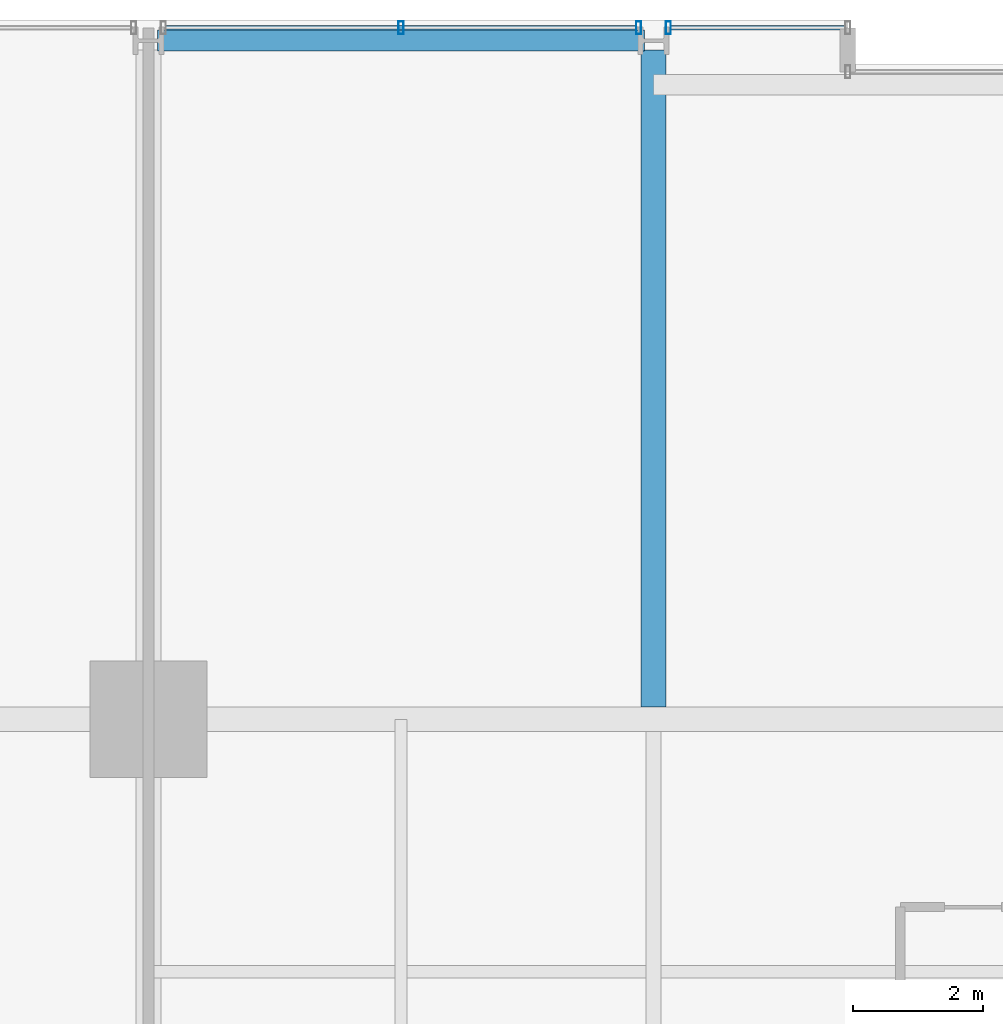
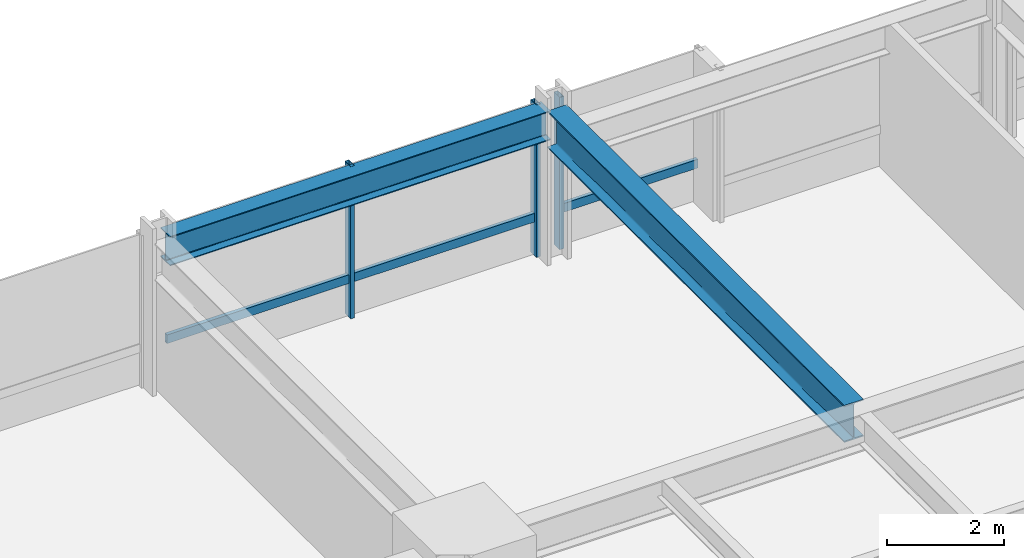
# One storey, part 22 of 37: 5 members, 2 beams, 2 elements without a shape of their own.
"""IFC4 building model written with IfcOpenShell, lengths in metres."""

from ifc_helpers import new_model, si_unit, direction, frame, origin, origin_2d, place, context, subcontext, project, spatial, hollow_rectangle, i_section, extrude, material, layer, layer_set, material_profile, profile_set, type_object, element, aggregate, save


model = new_model("IFC4")

# Units and contexts
model_context = context("Model", 3, precision=1e-05, world=origin(), true_north=direction((0.0, 1.0)))
body_context = subcontext(model_context, "Body", "Model", "MODEL_VIEW")
ifc_project = project(units=[si_unit("LENGTHUNIT", "METRE"), si_unit("AREAUNIT", "SQUARE_METRE"), si_unit("VOLUMEUNIT", "CUBIC_METRE"), si_unit("PLANEANGLEUNIT", "RADIAN"), si_unit("MASSUNIT", "GRAM", prefix="KILO")], contexts=[model_context])

# Site, building, storey
site_placement = place(None, origin())
site = spatial("IfcSite", under=ifc_project, at=site_placement, CompositionType="ELEMENT")
building_placement = place(site_placement, origin())
building = spatial("IfcBuilding", under=site, at=building_placement, Name="Drelvath Grand Hotel", CompositionType="ELEMENT")
storey_placement = place(building_placement, frame((0.0, 0.0, 78.699951171875)))
storey = spatial("IfcBuildingStorey", under=building, at=storey_placement, Name="L19", CompositionType="ELEMENT", Elevation=78.699951171875)

# Curtain wall, member
ifc_material_1 = material(Name="Warm Bronze Anodised Aluminium Frame", Category="aluminium")
ifc_layer = layer(ifc_material_1, 0.199951171875)
ifc_layer_set = layer_set([ifc_layer], Name="Warm Bronze Anodised Aluminium Frame")
curtain_wall_type = type_object("IfcCurtainWallType", Name="Stick Curtain Wall CW-02 Warm Bronze Low-Rise", PredefinedType="NOTDEFINED", material=ifc_layer_set)
curtain_wall_1_placement = place(storey_placement, origin())
curtain_wall_1 = element("IfcCurtainWall", 1, at=curtain_wall_1_placement, inside=storey, type_object=curtain_wall_type, Name="L19 CW-02 Curtain Wall CW02-L19-NW2", PredefinedType="NOTDEFINED")
ifc_material_profile_1 = material_profile(ifc_material_1, hollow_rectangle(XDim=0.074951171875, YDim=0.179931640625, WallThickness=0.0048828125, at=origin_2d()), Name="HSS180X75X5")
ifc_profile_set_1 = profile_set([ifc_material_profile_1], Name="Warm Bronze Anodised Aluminium Frame")
member_type_1 = type_object("IfcMemberType", Name="Curtain Wall Horizontal Transom CW-02 HSS180X75X5", PredefinedType="USERDEFINED", material=ifc_profile_set_1)
member_1_placement = place(storey_placement, frame((-15.930908203125, 53.8798828125, 0.795166015625), z_axis=(1.0, 0.0, 0.0), x_axis=(0.0, 1.0, 0.0)))
member_1 = element("IfcMember", 2, at=member_1_placement, type_object=member_type_1, Name="CW02-L19-NW2 Sill Transom", ObjectType="TRANSOM", PredefinedType="USERDEFINED", context=body_context, shape_type="SweptSolid", body=[
    extrude(hollow_rectangle(XDim=0.074951171875, YDim=0.179931640625, WallThickness=0.0048828125, at=origin_2d()), origin(), (0.0, 0.0, 1.0), 7.26171875),
])

curtain_wall_2_placement = place(storey_placement, origin())
curtain_wall_2 = element("IfcCurtainWall", 3, at=curtain_wall_2_placement, inside=storey, type_object=curtain_wall_type, Name="L19 CW-02 Curtain Wall CW02-L19-NW3", PredefinedType="NOTDEFINED")
member_2_placement = place(storey_placement, frame((-8.130859375, 53.8798828125, 0.795166015625), z_axis=(1.0, 0.0, 0.0), x_axis=(0.0, 1.0, 0.0)))
member_2 = element("IfcMember", 4, at=member_2_placement, type_object=member_type_1, Name="CW02-L19-NW3 Sill Transom", ObjectType="TRANSOM", PredefinedType="USERDEFINED", context=body_context, shape_type="SweptSolid", body=[
    extrude(hollow_rectangle(XDim=0.074951171875, YDim=0.179931640625, WallThickness=0.0048828125, at=origin_2d()), origin(), (0.0, 0.0, 1.0), 2.69091796875),
])

# Member
ifc_material_profile_2 = material_profile(ifc_material_1, hollow_rectangle(XDim=0.080078125, YDim=0.199951171875, WallThickness=0.0048828125, at=origin_2d()), Name="HSS200X80X5")
ifc_profile_set_2 = profile_set([ifc_material_profile_2], Name="Warm Bronze Anodised Aluminium Frame")
member_type_2 = type_object("IfcMemberType", Name="Curtain Wall Vertical Mullion CW-02 HSS200X80X5", PredefinedType="MULLION", material=ifc_profile_set_2)
member_3_placement = place(storey_placement, frame((-12.300048828125, 53.8798828125, 0.0), z_axis=(0.0, 0.0, 1.0), x_axis=(1.0, 0.0, 0.0)))
member_3 = element("IfcMember", 5, at=member_3_placement, type_object=member_type_2, Name="CW02-L19-NW2 Mullion 2", PredefinedType="MULLION", context=body_context, shape_type="SweptSolid", body=[
    extrude(hollow_rectangle(XDim=0.080078125, YDim=0.199951171875, WallThickness=0.0048828125, at=origin_2d()), origin(), (0.0, 0.0, 1.0), 3.179931640625),
])

member_4_placement = place(storey_placement, frame((-8.629150390625, 53.8798828125, 0.0), z_axis=(0.0, 0.0, 1.0), x_axis=(1.0, 0.0, 0.0)))
member_4 = element("IfcMember", 6, at=member_4_placement, type_object=member_type_2, Name="CW02-L19-NW2 Mullion 3", PredefinedType="MULLION", context=body_context, shape_type="SweptSolid", body=[
    extrude(hollow_rectangle(XDim=0.080078125, YDim=0.199951171875, WallThickness=0.0048828125, at=origin_2d()), origin(), (0.0, 0.0, 1.0), 3.179931640625),
])

aggregate(curtain_wall_1, [member_3, member_4, member_1])

member_5_placement = place(storey_placement, frame((-8.1708984375, 53.8798828125, 0.0), z_axis=(0.0, 0.0, 1.0), x_axis=(1.0, 0.0, 0.0)))
member_5 = element("IfcMember", 7, at=member_5_placement, type_object=member_type_2, Name="CW02-L19-NW3 Mullion 1", PredefinedType="MULLION", context=body_context, shape_type="SweptSolid", body=[
    extrude(hollow_rectangle(XDim=0.080078125, YDim=0.199951171875, WallThickness=0.0048828125, at=origin_2d()), origin(), (0.0, 0.0, 1.0), 3.179931640625),
])

aggregate(curtain_wall_2, [member_5, member_2])

# Beams
ifc_material_2 = material(Name="Steel ASTM A992 Gr 50", Category="steel")
ifc_material_profile_3 = material_profile(ifc_material_2, i_section(OverallWidth=0.323974609375, OverallDepth=0.611083984375, WebThickness=0.0126953125, FlangeThickness=0.01904296875, FilletRadius=0.02197265625, at=origin_2d()), Name="W24X104")
ifc_profile_set_3 = profile_set([ifc_material_profile_3], Name="Steel ASTM A992 Gr 50")
beam_type_1 = type_object("IfcBeamType", Name="Perimeter Spandrel Beam W24X104", PredefinedType="SPANDREL", material=ifc_profile_set_3)
beam_1_placement = place(storey_placement, frame((-16.06005859375, 53.679931640625, 2.87451171875), z_axis=(1.0, 0.0, 0.0), x_axis=(0.0, 1.0, 0.0)))
element("IfcBeam", 8, at=beam_1_placement, inside=storey, type_object=beam_type_1, Name="L19 Spandrel North W", PredefinedType="SPANDREL", context=body_context, shape_type="SweptSolid", body=[
    extrude(i_section(OverallWidth=0.323974609375, OverallDepth=0.611083984375, WebThickness=0.0126953125, FlangeThickness=0.01904296875, FilletRadius=0.02197265625, at=origin_2d()), origin(), (0.0, 0.0, 1.0), 7.52001953125),
])
ifc_material_profile_4 = material_profile(ifc_material_2, i_section(OverallWidth=0.380615234375, OverallDepth=0.773193359375, WebThickness=0.0166015625, FlangeThickness=0.027099609375, FilletRadius=0.02490234375, at=origin_2d()), Name="W30X173")
ifc_profile_set_4 = profile_set([ifc_material_profile_4], Name="Steel ASTM A992 Gr 50")
beam_type_2 = type_object("IfcBeamType", Name="Primary Floor Girder W30X173", PredefinedType="BEAM", material=ifc_profile_set_4)
beam_2_placement = place(storey_placement, frame((-8.39990234375, 43.390380859375, 2.79345703125), z_axis=(0.0, 1.0, 0.0), x_axis=(-1.0, 0.0, 0.0)))
element("IfcBeam", 9, at=beam_2_placement, inside=storey, type_object=beam_type_2, Name="L19 North Wing Girder 4", PredefinedType="BEAM", context=body_context, shape_type="SweptSolid", body=[
    extrude(i_section(OverallWidth=0.380615234375, OverallDepth=0.773193359375, WebThickness=0.0166015625, FlangeThickness=0.027099609375, FilletRadius=0.02490234375, at=origin_2d()), origin(), (0.0, 0.0, 1.0), 10.149658203125),
])

save(model, "model.ifc")
